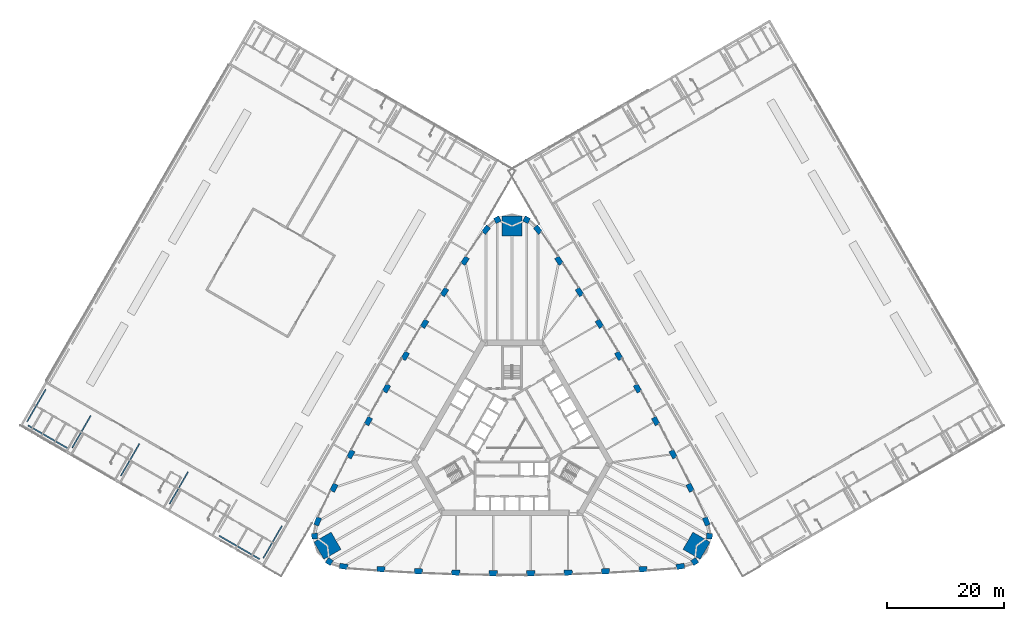
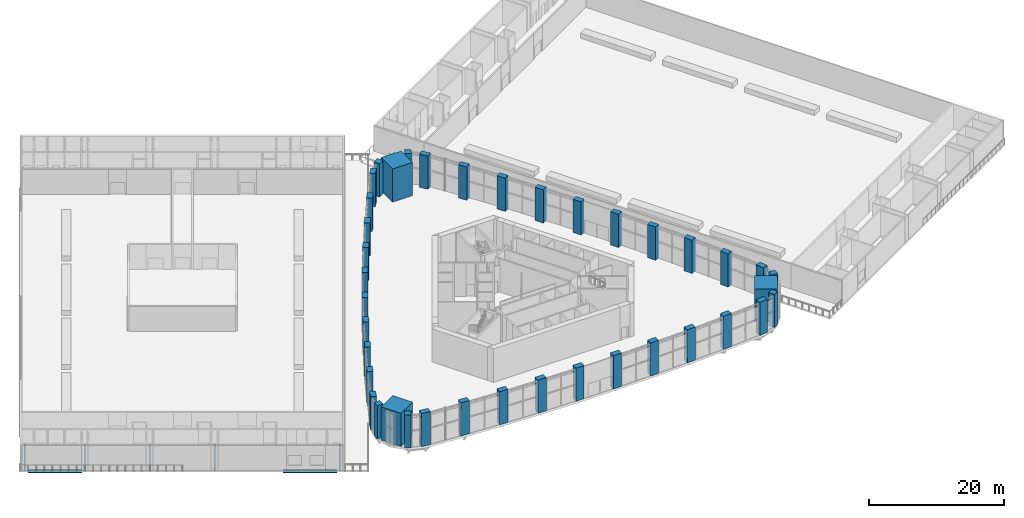
# One storey, part 1 of 41: 39 columns, 7 beams.
"""IFC4 building model written with IfcOpenShell, lengths in metres."""

import ifcopenshell
import ifcopenshell.guid

model = None  # the IFC model being written
_history = None  # IfcOwnerHistory: only IFC2X3 demands one
_inside = {}  # id of a spatial element -> (the spatial element, [elements in it])
_under = {}  # id of a project, library or spatial element -> (it, [spatial elements below it])
_declared = {}  # id of a project -> (the project, [libraries it declares])
_typed = {}  # id of a type object -> (the type object, [elements of that type])
_made_of = {}  # id of a material, layer set ... -> (it, [elements and type objects made of it])


def new_model(schema):
    """Start an empty IFC model of exactly this schema.

    Asked for "IFC4X3", IfcOpenShell would pick the latest addendum, in which some entities
    have other attributes; the version numbers below select the first issue.
    IFC2X3 requires an IfcOwnerHistory on every rooted entity: one is made here for all.
    """
    global model, _history
    if schema == "IFC4X3":
        model = ifcopenshell.file(schema_version=(4, 3, 0, 0))
    else:
        model = ifcopenshell.file(schema=schema)
    _inside.clear()
    _under.clear()
    _declared.clear()
    _typed.clear()
    _made_of.clear()
    _history = None
    if model.schema == "IFC2X3":
        org = make("IfcOrganization", Name="unknown")
        user = make(
            "IfcPersonAndOrganization",
            ThePerson=make("IfcPerson", FamilyName="unknown"),
            TheOrganization=org,
        )
        app = make(
            "IfcApplication",
            ApplicationDeveloper=org,
            Version="unknown",
            ApplicationFullName="unknown",
            ApplicationIdentifier="unknown",
        )
        _history = make(
            "IfcOwnerHistory",
            OwningUser=user,
            OwningApplication=app,
            ChangeAction="ADDED",
            CreationDate=0,
        )
    return model


def make(cls, **values):
    """One entity of the class cls with the attributes given. An attribute that is None is left unset."""
    return model.create_entity(
        cls, **{name: value for name, value in values.items() if value is not None}
    )


def rooted(cls, **values):
    """An entity with a GlobalId (a new one), such as an element, a storey or a relation."""
    return make(cls, GlobalId=ifcopenshell.guid.new(), OwnerHistory=_history, **values)


def si_unit(unit_type, name, prefix=None):
    """IfcSIUnit, for example si_unit("LENGTHUNIT", "METRE", prefix="MILLI")."""
    return make("IfcSIUnit", UnitType=unit_type, Prefix=prefix, Name=name)


def assignment(units):
    """IfcUnitAssignment: the units of a project."""
    return None if units is None else make("IfcUnitAssignment", Units=units)


def point(xyz):
    """IfcCartesianPoint."""
    return None if xyz is None else make("IfcCartesianPoint", Coordinates=xyz)


def direction(xyz):
    """IfcDirection."""
    return None if xyz is None else make("IfcDirection", DirectionRatios=xyz)


def frame(location, z_axis=None, x_axis=None):
    """IfcAxis2Placement3D, a coordinate frame: its origin and axes. An axis left out is left unset."""
    return make(
        "IfcAxis2Placement3D",
        Location=point(location),
        Axis=direction(z_axis),
        RefDirection=direction(x_axis),
    )


def frame_2d(location, x_axis=None):
    """IfcAxis2Placement2D, a coordinate frame in the plane: its origin and x axis."""
    return make(
        "IfcAxis2Placement2D", Location=point(location), RefDirection=direction(x_axis)
    )


def origin():
    """The frame at (0, 0, 0) with its axes left unset."""
    return frame((0.0, 0.0, 0.0))


def origin_2d():
    """The frame at (0, 0) in the plane with its x axis left unset."""
    return frame_2d((0.0, 0.0))


def place(relative_to, where):
    """IfcLocalPlacement: puts the frame where relative to a parent placement (None: the world)."""
    return make(
        "IfcLocalPlacement", PlacementRelTo=relative_to, RelativePlacement=where
    )


def context(
    kind, dimensions, precision=None, world=None, true_north=None, identifier=None
):
    """IfcGeometricRepresentationContext, for example the 3D "Model" context."""
    return make(
        "IfcGeometricRepresentationContext",
        ContextIdentifier=identifier,
        ContextType=kind,
        CoordinateSpaceDimension=dimensions,
        Precision=precision,
        WorldCoordinateSystem=world,
        TrueNorth=true_north,
    )


def subcontext(parent, identifier, kind, view, scale=None):
    """IfcGeometricRepresentationSubContext, for example "Body" below "Model"."""
    return make(
        "IfcGeometricRepresentationSubContext",
        ContextIdentifier=identifier,
        ContextType=kind,
        ParentContext=parent,
        TargetScale=scale,
        TargetView=view,
    )


def project(units=None, contexts=None):
    """IfcProject with its units and contexts."""
    return rooted(
        "IfcProject",
        Name="project",
        RepresentationContexts=contexts,
        UnitsInContext=assignment(units),
    )


def spatial(cls, under=None, at=None, **own):
    """A site, building, storey or space (cls), placed at a placement, below another one or the project."""
    s = rooted(cls, ObjectPlacement=at, **own)
    if under is not None:
        _under.setdefault(under.id(), (under, []))[1].append(s)
    return s


def profile(cls, at=None, kind="AREA", **sizes):
    """A parametric profile (cls). Its sizes go by their IFC names, for example OverallWidth=200.0."""
    return make(cls, ProfileType=kind, Position=at, **sizes)


def rectangle(**sizes):
    """IfcRectangleProfileDef."""
    return profile("IfcRectangleProfileDef", **sizes)


def i_section(**sizes):
    """IfcIShapeProfileDef."""
    return profile("IfcIShapeProfileDef", **sizes)


def extrude(swept, where, along, depth):
    """IfcExtrudedAreaSolid: the profile swept, set in the frame where, extruded along a direction by depth."""
    return make(
        "IfcExtrudedAreaSolid",
        SweptArea=swept,
        Position=where,
        ExtrudedDirection=direction(along),
        Depth=depth,
    )


def shape(context_of_items, identifier, shape_type, items):
    """IfcShapeRepresentation: the items that make up one representation, for example the "Body"."""
    return make(
        "IfcShapeRepresentation",
        ContextOfItems=context_of_items,
        RepresentationIdentifier=identifier,
        RepresentationType=shape_type,
        Items=items,
    )


def material(Name=None, Category=None):
    """IfcMaterial."""
    return make("IfcMaterial", Name=Name, Category=Category)


def material_profile(
    of_material, cross_section, Name=None, Category=None, Priority=None
):
    """IfcMaterialProfile: a cross section and its material."""
    return make(
        "IfcMaterialProfile",
        Name=Name,
        Material=of_material,
        Profile=cross_section,
        Priority=Priority,
        Category=Category,
    )


def profile_set(profiles, Name=None, composite=None):
    """IfcMaterialProfileSet."""
    return make(
        "IfcMaterialProfileSet",
        Name=Name,
        MaterialProfiles=profiles,
        CompositeProfile=composite,
    )


def made_of(thing, what):
    """Note that an element or type object is made of a material, layer set ...; save() writes the relation."""
    if what is not None:
        _made_of.setdefault(what.id(), (what, []))[1].append(thing)
    return thing


def type_object(cls, material=None, **own):
    """A type object (cls), such as IfcWallType, which elements share."""
    return made_of(rooted(cls, **own), material)


def element(
    cls,
    number,
    at=None,
    inside=None,
    cuts=None,
    type_object=None,
    material=None,
    context=None,
    identifier="Body",
    shape_type=None,
    held_by="IfcProductDefinitionShape",
    body=None,
    shapes=None,
    **own,
):
    """One element of the class cls, such as IfcWall. Its Tag is "e" and its number.

    at: its placement. inside: the storey or other place that contains it. cuts: it is an
    opening in that element (IfcRelVoidsElement). A single representation is given by context,
    identifier, shape_type and body (its items); several are given by shapes. held_by: the class
    of the entity that holds the representations. save() writes the other relations.
    """
    e = rooted(cls, Tag="e%d" % number, ObjectPlacement=at, **own)
    if body is not None:
        shapes = [shape(context, identifier, shape_type, body)]
    if shapes is not None:
        e.Representation = make(held_by, Representations=shapes)
    if inside is not None:
        _inside.setdefault(inside.id(), (inside, []))[1].append(e)
    if cuts is not None:
        rooted(
            "IfcRelVoidsElement", RelatingBuildingElement=cuts, RelatedOpeningElement=e
        )
    if type_object is not None:
        _typed.setdefault(type_object.id(), (type_object, []))[1].append(e)
    return made_of(e, material)


def aggregate(whole, parts):
    """IfcRelAggregates: a whole, such as a stair, and the parts it consists of."""
    return rooted("IfcRelAggregates", RelatingObject=whole, RelatedObjects=parts)


def save(model, path):
    """Write the relations noted so far, then the file.

    IfcRelAggregates (storeys below a building ...), IfcRelContainedInSpatialStructure (elements
    in a storey), IfcRelDefinesByType, IfcRelAssociatesMaterial and IfcRelDeclares: one each for
    every whole, place, type object, material and project.
    """
    for whole, parts in _under.values():
        aggregate(whole, parts)
    for where, things in _inside.values():
        rooted(
            "IfcRelContainedInSpatialStructure",
            RelatedElements=things,
            RelatingStructure=where,
        )
    for kind, things in _typed.values():
        rooted("IfcRelDefinesByType", RelatedObjects=things, RelatingType=kind)
    for what, things in _made_of.values():
        rooted("IfcRelAssociatesMaterial", RelatedObjects=things, RelatingMaterial=what)
    for by, libraries in _declared.values():
        rooted("IfcRelDeclares", RelatingContext=by, RelatedDefinitions=libraries)
    model.write(path)


model = new_model("IFC4")

# Units and contexts
model_context = context("Model", 3, precision=1e-05, world=origin(), true_north=direction((0.0, 1.0)))
body_context = subcontext(model_context, "Body", "Model", "MODEL_VIEW")
ifc_project = project(units=[si_unit("LENGTHUNIT", "METRE"), si_unit("AREAUNIT", "SQUARE_METRE"), si_unit("VOLUMEUNIT", "CUBIC_METRE"), si_unit("PLANEANGLEUNIT", "RADIAN"), si_unit("MASSUNIT", "GRAM", prefix="KILO")], contexts=[model_context])

# Site, building, storey
site_placement = place(None, origin())
site = spatial("IfcSite", under=ifc_project, at=site_placement, CompositionType="ELEMENT")
building_placement = place(site_placement, origin())
building = spatial("IfcBuilding", under=site, at=building_placement, Name="Mestral Congress Tower", CompositionType="ELEMENT")
storey_placement = place(building_placement, frame((0.0, 0.0, 21.60009765625)))
storey = spatial("IfcBuildingStorey", under=building, at=storey_placement, Name="L04", CompositionType="ELEMENT", Elevation=21.60009765625)

# Columns
ifc_material_1 = material(Name="Concrete C70/85", Category="concrete")
ifc_material_profile_1 = material_profile(ifc_material_1, rectangle(XDim=1.0, YDim=1.0, at=origin_2d()), Name="RC 1000x1000")
ifc_profile_set_1 = profile_set([ifc_material_profile_1], Name="Concrete C70/85")
column_type_1 = type_object("IfcColumnType", Name="Column RC 1000x1000 C70/85", PredefinedType="COLUMN", material=ifc_profile_set_1)
for number, where, z_axis, x_axis, name in (
    (1, (31.210205078125, -20.90966796875, 0.0), (0.0, 0.0, 1.0), (0.844485001826, 0.535579202071, 0.0), "COL-L04-C1-SE1"),
    (2, (33.71337890625, -16.573974609375, 0.0), (0.0, 0.0, 1.0), (0.041582693819, 0.999135065732, 0.0), "COL-L04-C1-SE3"),
    (3, (2.503173828125, 37.483642578125, 0.0), (0.0, 0.0, 1.0), (-0.886067695645, 0.463555863661, 0.0), "COL-L04-C1-N1"),
    (4, (-2.503173828125, 37.483642578125, 0.0), (0.0, 0.0, 1.0), (-0.886067695645, -0.463555863661, 0.0), "COL-L04-C1-N3"),
    (5, (-33.71337890625, -16.573974609375, 0.0), (0.0, 0.0, 1.0), (0.041582693819, -0.999135065732, 0.0), "COL-L04-C1-SW1"),
    (6, (-31.210205078125, -20.90966796875, 0.0), (0.0, 0.0, 1.0), (0.844485001826, -0.535579202071, 0.0), "COL-L04-C1-SW3"),
):
    element("IfcColumn", number, at=place(storey_placement, frame(where, z_axis=z_axis, x_axis=x_axis)), inside=storey, type_object=column_type_1, Name=name, PredefinedType="COLUMN", context=body_context, shape_type="SweptSolid", body=[
        extrude(rectangle(XDim=1.0, YDim=1.0, at=origin_2d()), origin(), (0.0, 0.0, 1.0), 6.0),
    ])
ifc_material_profile_2 = material_profile(ifc_material_1, rectangle(XDim=1.39990234375, YDim=0.89990234375, at=origin_2d()), Name="RC 1400x900")
ifc_profile_set_2 = profile_set([ifc_material_profile_2], Name="Concrete C70/85")
column_type_2 = type_object("IfcColumnType", Name="Column RC 1400x900 C70/85", PredefinedType="COLUMN", material=ifc_profile_set_2)
for number, where, z_axis, x_axis, name in (
    (7, (-28.766845703125, -21.730712890625, 0.0), (0.0, 0.0, 1.0), (0.989423502484, -0.145055619443, 0.0), "COL-L04-C1-S00"),
    (8, (-22.384521484375, -22.20361328125, 0.0), (0.0, 0.0, 1.0), (0.997907501024, -0.064657709518, 0.0), "COL-L04-C1-S01"),
    (9, (-15.994384765625, -22.558349609375, 0.0), (0.0, 0.0, 1.0), (0.998932216029, -0.04619986774, 0.0), "COL-L04-C1-S02"),
    (10, (-9.598876953125, -22.794921875, 0.0), (0.0, 0.0, 1.0), (0.999615553977, -0.027726237529, 0.0), "COL-L04-C1-S03"),
    (11, (-3.199951171875, -22.9130859375, 0.0), (0.0, 0.0, 1.0), (0.999957281342, -0.009243132098, 0.0), "COL-L04-C1-S04"),
    (12, (3.199951171875, -22.9130859375, 0.0), (0.0, 0.0, 1.0), (0.999957281342, 0.009243132098, 0.0), "COL-L04-C1-S05"),
    (13, (9.598876953125, -22.794921875, 0.0), (0.0, 0.0, 1.0), (0.999615553977, 0.027726237529, 0.0), "COL-L04-C1-S06"),
    (14, (15.994384765625, -22.558349609375, 0.0), (0.0, 0.0, 1.0), (0.998932216029, 0.04619986774, 0.0), "COL-L04-C1-S07"),
    (15, (22.384521484375, -22.20361328125, 0.0), (0.0, 0.0, 1.0), (0.997907501024, 0.064657709518, 0.0), "COL-L04-C1-S08"),
    (16, (28.766845703125, -21.730712890625, 0.0), (0.0, 0.0, 1.0), (0.989423502484, 0.145055619443, 0.0), "COL-L04-C1-S09"),
    (17, (33.202880859375, -14.04736328125, 0.0), (0.0, 0.0, 1.0), (-0.369089899843, 0.929393697974, 0.0), "COL-L04-C1-E00"),
    (18, (30.421142578125, -8.28369140625, 0.0), (0.0, 0.0, 1.0), (-0.442958531519, 0.896542101273, 0.0), "COL-L04-C1-E01"),
    (19, (27.533203125, -2.572265625, 0.0), (0.0, 0.0, 1.0), (-0.4594558489, 0.88820060961, 0.0), "COL-L04-C1-E02"),
    (20, (24.540283203125, 3.084716796875, 0.0), (0.0, 0.0, 1.0), (-0.475796150937, 0.879555582526, 0.0), "COL-L04-C1-E03"),
    (21, (21.443359375, 8.685302734375, 0.0), (0.0, 0.0, 1.0), (-0.491973853463, 0.870609974391, 0.0), "COL-L04-C1-E04"),
    (22, (18.243408203125, 14.227783203125, 0.0), (0.0, 0.0, 1.0), (-0.507983427879, 0.861366842292, 0.0), "COL-L04-C1-E05"),
    (23, (14.941650390625, 19.710205078125, 0.0), (0.0, 0.0, 1.0), (-0.52381940304, 0.851829344998, 0.0), "COL-L04-C1-E06"),
    (24, (11.5390625, 25.130615234375, 0.0), (0.0, 0.0, 1.0), (-0.539476367129, 0.84200074187, 0.0), "COL-L04-C1-E07"),
    (25, (8.03662109375, 30.4873046875, 0.0), (0.0, 0.0, 1.0), (-0.554948969505, 0.831884391755, 0.0), "COL-L04-C1-E08"),
    (26, (4.43603515625, 35.7783203125, 0.0), (0.0, 0.0, 1.0), (-0.620333602641, 0.784338078531, 0.0), "COL-L04-C1-E09"),
    (27, (-4.43603515625, 35.7783203125, 0.0), (0.0, 0.0, 1.0), (-0.620333602641, -0.784338078531, 0.0), "COL-L04-C1-W00"),
    (28, (-8.03662109375, 30.4873046875, 0.0), (0.0, 0.0, 1.0), (-0.554948969505, -0.831884391755, 0.0), "COL-L04-C1-W01"),
    (29, (-11.5390625, 25.130615234375, 0.0), (0.0, 0.0, 1.0), (-0.539476367129, -0.84200074187, 0.0), "COL-L04-C1-W02"),
    (30, (-14.941650390625, 19.710205078125, 0.0), (0.0, 0.0, 1.0), (-0.52381940304, -0.851829344998, 0.0), "COL-L04-C1-W03"),
    (31, (-18.243408203125, 14.227783203125, 0.0), (0.0, 0.0, 1.0), (-0.507983427879, -0.861366842292, 0.0), "COL-L04-C1-W04"),
    (32, (-21.443359375, 8.685302734375, 0.0), (0.0, 0.0, 1.0), (-0.491973853463, -0.870609974391, 0.0), "COL-L04-C1-W05"),
    (33, (-24.540283203125, 3.084716796875, 0.0), (0.0, 0.0, 1.0), (-0.475796150937, -0.879555582526, 0.0), "COL-L04-C1-W06"),
    (34, (-27.533203125, -2.572265625, 0.0), (0.0, 0.0, 1.0), (-0.4594558489, -0.88820060961, 0.0), "COL-L04-C1-W07"),
    (35, (-30.421142578125, -8.28369140625, 0.0), (0.0, 0.0, 1.0), (-0.442958531519, -0.896542101273, 0.0), "COL-L04-C1-W08"),
    (36, (-33.202880859375, -14.04736328125, 0.0), (0.0, 0.0, 1.0), (-0.369089899843, -0.929393697974, 0.0), "COL-L04-C1-W09"),
):
    element("IfcColumn", number, at=place(storey_placement, frame(where, z_axis=z_axis, x_axis=x_axis)), inside=storey, type_object=column_type_2, Name=name, PredefinedType="COLUMN", context=body_context, shape_type="SweptSolid", body=[
        extrude(rectangle(XDim=1.39990234375, YDim=0.89990234375, at=origin_2d()), origin(), (0.0, 0.0, 1.0), 6.0),
    ])
ifc_material_2 = material(Name="Concrete C80/95", Category="concrete")
ifc_material_profile_3 = material_profile(ifc_material_2, rectangle(XDim=3.39990234375, YDim=3.39990234375, at=origin_2d()), Name="RC 3400x3400")
ifc_profile_set_3 = profile_set([ifc_material_profile_3], Name="Concrete C80/95")
column_type_3 = type_object("IfcColumnType", Name="Mega column RC 3400x3400 C80/95", PredefinedType="COLUMN", material=ifc_profile_set_3)
for number, where, z_axis, x_axis, name in (
    (37, (31.5224609375, -18.199462890625, 0.0), (0.0, 0.0, 1.0), (0.866025403784, -0.5, 0.0), "COL-L04-PY1-SE"),
    (38, (0.0, 36.39892578125, 0.0), (0.0, 0.0, 1.0), (0.0, 1.0, 0.0), "COL-L04-PY1-N"),
    (39, (-31.5224609375, -18.199462890625, 0.0), (0.0, 0.0, 1.0), (-0.866025403784, -0.5, 0.0), "COL-L04-PY1-SW"),
):
    element("IfcColumn", number, at=place(storey_placement, frame(where, z_axis=z_axis, x_axis=x_axis)), inside=storey, type_object=column_type_3, Name=name, PredefinedType="COLUMN", context=body_context, shape_type="SweptSolid", body=[
        extrude(rectangle(XDim=3.39990234375, YDim=3.39990234375, at=origin_2d()), origin(), (0.0, 0.0, 1.0), 6.0),
    ])

# Beams
ifc_material_3 = material(Name="Steel S355", Category="steel")
ifc_material_profile_4 = material_profile(ifc_material_3, i_section(OverallWidth=0.199951171875, OverallDepth=0.5, WebThickness=0.01025390625, FlangeThickness=0.01611328125, FilletRadius=0.02099609375, at=origin_2d()), Name="IPE 500")
ifc_profile_set_4 = profile_set([ifc_material_profile_4], Name="Steel S355")
beam_type_1 = type_object("IfcBeamType", Name="Floor beam IPE 500 S355", PredefinedType="BEAM", material=ifc_profile_set_4)
beam_1_placement = place(storey_placement, frame((-39.285400390625, -14.78857421875, -0.550048828125), z_axis=(-0.500028443584, -0.866008981251, 0.0), x_axis=(0.866008981251, -0.500028443584, 0.0)))
element("IfcBeam", 40, at=beam_1_placement, inside=storey, type_object=beam_type_1, Name="BM-L04-W-U10A", PredefinedType="BEAM", context=body_context, shape_type="SweptSolid", body=[
    extrude(i_section(OverallWidth=0.199951171875, OverallDepth=0.5, WebThickness=0.01025390625, FlangeThickness=0.01611328125, FilletRadius=0.02099609375, at=origin_2d()), origin(), (0.0, 0.0, 1.0), 6.400146484375),
])
for number, where, z_axis, x_axis, name in (
    (41, (-55.33203125, -5.581787109375, -0.550048828125), (-0.500005339912, -0.866022320763, 0.0), (0.866022320763, -0.500005339912, 0.0), "BM-L04-W-U10C"),
    (42, (-63.645751953125, -0.78173828125, -0.550048828125), (-0.500005339912, -0.866022320763, 0.0), (0.866022320763, -0.500005339912, 0.0), "BM-L04-W-U10D"),
):
    element("IfcBeam", number, at=place(storey_placement, frame(where, z_axis=z_axis, x_axis=x_axis)), inside=storey, type_object=beam_type_1, Name=name, PredefinedType="BEAM", context=body_context, shape_type="SweptSolid", body=[
        extrude(i_section(OverallWidth=0.199951171875, OverallDepth=0.5, WebThickness=0.01025390625, FlangeThickness=0.01611328125, FilletRadius=0.02099609375, at=origin_2d()), origin(), (0.0, 0.0, 1.0), 6.35009765625),
    ])
beam_2_placement = place(storey_placement, frame((-71.959716796875, 4.018310546875, -0.550048828125), z_axis=(-0.499988692146, -0.866031932279, 0.0), x_axis=(0.866031932279, -0.499988692146, 0.0)))
element("IfcBeam", 43, at=beam_2_placement, inside=storey, type_object=beam_type_1, Name="BM-L04-W-U10E", PredefinedType="BEAM", context=body_context, shape_type="SweptSolid", body=[
    extrude(i_section(OverallWidth=0.199951171875, OverallDepth=0.5, WebThickness=0.01025390625, FlangeThickness=0.01611328125, FilletRadius=0.02099609375, at=origin_2d()), origin(), (0.0, 0.0, 1.0), 6.350341796875),
])
beam_3_placement = place(storey_placement, frame((-79.642333984375, 8.511474609375, -0.550048828125), z_axis=(-0.499999833739, -0.866025499775, 0.0), x_axis=(0.866025499775, -0.499999833739, 0.0)))
element("IfcBeam", 44, at=beam_3_placement, inside=storey, type_object=beam_type_1, Name="BM-L04-W-U10F", PredefinedType="BEAM", context=body_context, shape_type="SweptSolid", body=[
    extrude(i_section(OverallWidth=0.199951171875, OverallDepth=0.5, WebThickness=0.01025390625, FlangeThickness=0.01611328125, FilletRadius=0.02099609375, at=origin_2d()), origin(), (0.0, 0.0, 1.0), 6.39990234375),
])
ifc_material_profile_5 = material_profile(ifc_material_3, i_section(OverallWidth=0.219970703125, OverallDepth=0.60009765625, WebThickness=0.011962890625, FlangeThickness=0.01904296875, FilletRadius=0.02392578125, at=origin_2d()), Name="IPE 600")
ifc_profile_set_5 = profile_set([ifc_material_profile_5], Name="Steel S355")
beam_type_2 = type_object("IfcBeamType", Name="Floor beam IPE 600 S355", PredefinedType="BEAM", material=ifc_profile_set_5)
beam_4_placement = place(storey_placement, frame((-43.10009765625, -20.495849609375, -0.60009765625), z_axis=(-0.866026010844, 0.49999894854, 0.0), x_axis=(-0.49999894854, -0.866026010844, 0.0)))
element("IfcBeam", 45, at=beam_4_placement, inside=storey, type_object=beam_type_2, Name="BM-L04-W-V11A", PredefinedType="BEAM", context=body_context, shape_type="SweptSolid", body=[
    extrude(i_section(OverallWidth=0.219970703125, OverallDepth=0.60009765625, WebThickness=0.011962890625, FlangeThickness=0.01904296875, FilletRadius=0.02392578125, at=origin_2d()), origin(), (0.0, 0.0, 1.0), 8.0),
])
beam_5_placement = place(storey_placement, frame((-75.74951171875, -1.645751953125, -0.60009765625), z_axis=(-0.866018381195, 0.500012163284, 0.0), x_axis=(-0.500012163284, -0.866018381195, 0.0)))
element("IfcBeam", 46, at=beam_5_placement, inside=storey, type_object=beam_type_2, Name="BM-L04-W-V11E", PredefinedType="BEAM", context=body_context, shape_type="SweptSolid", body=[
    extrude(i_section(OverallWidth=0.219970703125, OverallDepth=0.60009765625, WebThickness=0.011962890625, FlangeThickness=0.01904296875, FilletRadius=0.02392578125, at=origin_2d()), origin(), (0.0, 0.0, 1.0), 7.999755859375),
])

save(model, "model.ifc")
